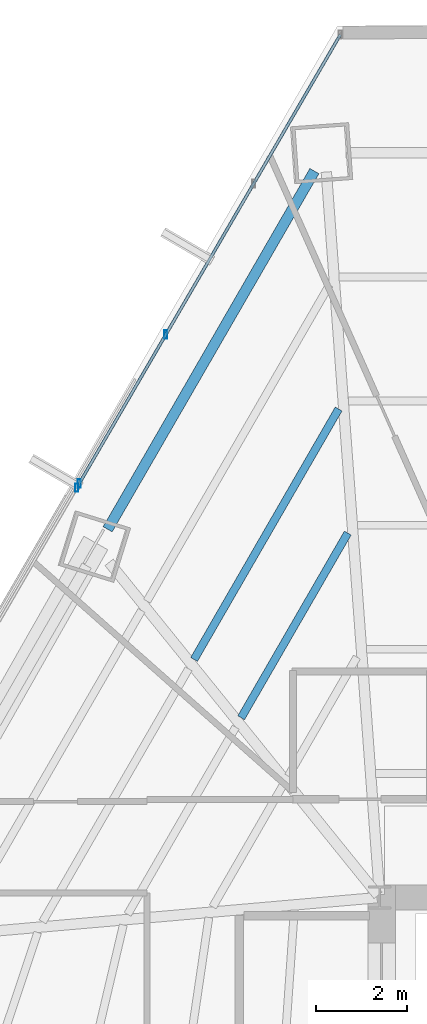
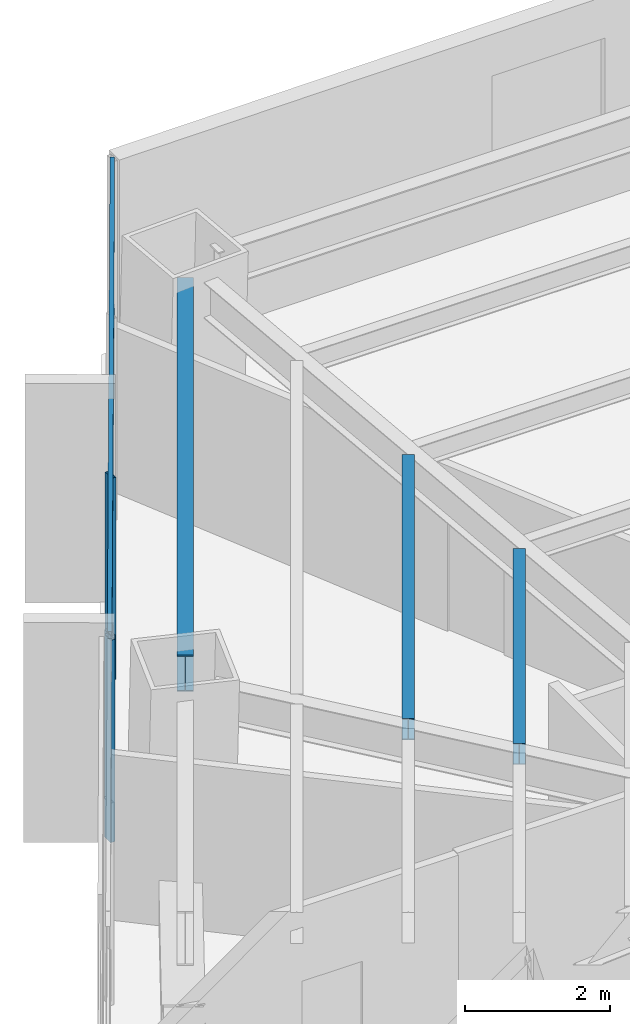
# One storey, part 23 of 34: 5 members, 3 beams, 2 elements without a shape of their own.
"""IFC4 building model written with IfcOpenShell, lengths in metres."""

import ifcopenshell
import ifcopenshell.guid

model = None  # the IFC model being written
_history = None  # IfcOwnerHistory: only IFC2X3 demands one
_inside = {}  # id of a spatial element -> (the spatial element, [elements in it])
_under = {}  # id of a project, library or spatial element -> (it, [spatial elements below it])
_declared = {}  # id of a project -> (the project, [libraries it declares])
_typed = {}  # id of a type object -> (the type object, [elements of that type])
_made_of = {}  # id of a material, layer set ... -> (it, [elements and type objects made of it])


def new_model(schema):
    """Start an empty IFC model of exactly this schema.

    Asked for "IFC4X3", IfcOpenShell would pick the latest addendum, in which some entities
    have other attributes; the version numbers below select the first issue.
    IFC2X3 requires an IfcOwnerHistory on every rooted entity: one is made here for all.
    """
    global model, _history
    if schema == "IFC4X3":
        model = ifcopenshell.file(schema_version=(4, 3, 0, 0))
    else:
        model = ifcopenshell.file(schema=schema)
    _inside.clear()
    _under.clear()
    _declared.clear()
    _typed.clear()
    _made_of.clear()
    _history = None
    if model.schema == "IFC2X3":
        org = make("IfcOrganization", Name="unknown")
        user = make(
            "IfcPersonAndOrganization",
            ThePerson=make("IfcPerson", FamilyName="unknown"),
            TheOrganization=org,
        )
        app = make(
            "IfcApplication",
            ApplicationDeveloper=org,
            Version="unknown",
            ApplicationFullName="unknown",
            ApplicationIdentifier="unknown",
        )
        _history = make(
            "IfcOwnerHistory",
            OwningUser=user,
            OwningApplication=app,
            ChangeAction="ADDED",
            CreationDate=0,
        )
    return model


def make(cls, **values):
    """One entity of the class cls with the attributes given. An attribute that is None is left unset."""
    return model.create_entity(
        cls, **{name: value for name, value in values.items() if value is not None}
    )


def rooted(cls, **values):
    """An entity with a GlobalId (a new one), such as an element, a storey or a relation."""
    return make(cls, GlobalId=ifcopenshell.guid.new(), OwnerHistory=_history, **values)


def si_unit(unit_type, name, prefix=None):
    """IfcSIUnit, for example si_unit("LENGTHUNIT", "METRE", prefix="MILLI")."""
    return make("IfcSIUnit", UnitType=unit_type, Prefix=prefix, Name=name)


def assignment(units):
    """IfcUnitAssignment: the units of a project."""
    return None if units is None else make("IfcUnitAssignment", Units=units)


def point(xyz):
    """IfcCartesianPoint."""
    return None if xyz is None else make("IfcCartesianPoint", Coordinates=xyz)


def direction(xyz):
    """IfcDirection."""
    return None if xyz is None else make("IfcDirection", DirectionRatios=xyz)


def frame(location, z_axis=None, x_axis=None):
    """IfcAxis2Placement3D, a coordinate frame: its origin and axes. An axis left out is left unset."""
    return make(
        "IfcAxis2Placement3D",
        Location=point(location),
        Axis=direction(z_axis),
        RefDirection=direction(x_axis),
    )


def frame_2d(location, x_axis=None):
    """IfcAxis2Placement2D, a coordinate frame in the plane: its origin and x axis."""
    return make(
        "IfcAxis2Placement2D", Location=point(location), RefDirection=direction(x_axis)
    )


def origin():
    """The frame at (0, 0, 0) with its axes left unset."""
    return frame((0.0, 0.0, 0.0))


def origin_2d():
    """The frame at (0, 0) in the plane with its x axis left unset."""
    return frame_2d((0.0, 0.0))


def place(relative_to, where):
    """IfcLocalPlacement: puts the frame where relative to a parent placement (None: the world)."""
    return make(
        "IfcLocalPlacement", PlacementRelTo=relative_to, RelativePlacement=where
    )


def context(
    kind, dimensions, precision=None, world=None, true_north=None, identifier=None
):
    """IfcGeometricRepresentationContext, for example the 3D "Model" context."""
    return make(
        "IfcGeometricRepresentationContext",
        ContextIdentifier=identifier,
        ContextType=kind,
        CoordinateSpaceDimension=dimensions,
        Precision=precision,
        WorldCoordinateSystem=world,
        TrueNorth=true_north,
    )


def subcontext(parent, identifier, kind, view, scale=None):
    """IfcGeometricRepresentationSubContext, for example "Body" below "Model"."""
    return make(
        "IfcGeometricRepresentationSubContext",
        ContextIdentifier=identifier,
        ContextType=kind,
        ParentContext=parent,
        TargetScale=scale,
        TargetView=view,
    )


def project(units=None, contexts=None):
    """IfcProject with its units and contexts."""
    return rooted(
        "IfcProject",
        Name="project",
        RepresentationContexts=contexts,
        UnitsInContext=assignment(units),
    )


def spatial(cls, under=None, at=None, **own):
    """A site, building, storey or space (cls), placed at a placement, below another one or the project."""
    s = rooted(cls, ObjectPlacement=at, **own)
    if under is not None:
        _under.setdefault(under.id(), (under, []))[1].append(s)
    return s


def profile(cls, at=None, kind="AREA", **sizes):
    """A parametric profile (cls). Its sizes go by their IFC names, for example OverallWidth=200.0."""
    return make(cls, ProfileType=kind, Position=at, **sizes)


def hollow_rectangle(**sizes):
    """IfcRectangleHollowProfileDef."""
    return profile("IfcRectangleHollowProfileDef", **sizes)


def i_section(**sizes):
    """IfcIShapeProfileDef."""
    return profile("IfcIShapeProfileDef", **sizes)


def extrude(swept, where, along, depth):
    """IfcExtrudedAreaSolid: the profile swept, set in the frame where, extruded along a direction by depth."""
    return make(
        "IfcExtrudedAreaSolid",
        SweptArea=swept,
        Position=where,
        ExtrudedDirection=direction(along),
        Depth=depth,
    )


def shape(context_of_items, identifier, shape_type, items):
    """IfcShapeRepresentation: the items that make up one representation, for example the "Body"."""
    return make(
        "IfcShapeRepresentation",
        ContextOfItems=context_of_items,
        RepresentationIdentifier=identifier,
        RepresentationType=shape_type,
        Items=items,
    )


def source(mapping_origin, context_of_items, identifier, shape_type, items):
    """IfcRepresentationMap: a shape defined once, which mapped items show again and again."""
    return make(
        "IfcRepresentationMap",
        MappingOrigin=mapping_origin,
        MappedRepresentation=shape(context_of_items, identifier, shape_type, items),
    )


def transform(
    local_origin,
    x_axis=None,
    y_axis=None,
    z_axis=None,
    scale=None,
    scale2=None,
    scale3=None,
    uniform=True,
):
    """IfcCartesianTransformationOperator3D, or its non-uniform kind. x_axis, y_axis, z_axis: its Axis1, 2, 3."""
    if uniform:
        return make(
            "IfcCartesianTransformationOperator3D",
            Axis1=direction(x_axis),
            Axis2=direction(y_axis),
            LocalOrigin=point(local_origin),
            Scale=scale,
            Axis3=direction(z_axis),
        )
    return make(
        "IfcCartesianTransformationOperator3DnonUniform",
        Axis1=direction(x_axis),
        Axis2=direction(y_axis),
        LocalOrigin=point(local_origin),
        Scale=scale,
        Axis3=direction(z_axis),
        Scale2=scale2,
        Scale3=scale3,
    )


def mapped(mapping_source, mapping_target):
    """IfcMappedItem: shows the shape of a source again, moved by a transform."""
    return make(
        "IfcMappedItem", MappingSource=mapping_source, MappingTarget=mapping_target
    )


def material(Name=None, Category=None):
    """IfcMaterial."""
    return make("IfcMaterial", Name=Name, Category=Category)


def material_profile(
    of_material, cross_section, Name=None, Category=None, Priority=None
):
    """IfcMaterialProfile: a cross section and its material."""
    return make(
        "IfcMaterialProfile",
        Name=Name,
        Material=of_material,
        Profile=cross_section,
        Priority=Priority,
        Category=Category,
    )


def profile_set(profiles, Name=None, composite=None):
    """IfcMaterialProfileSet."""
    return make(
        "IfcMaterialProfileSet",
        Name=Name,
        MaterialProfiles=profiles,
        CompositeProfile=composite,
    )


def made_of(thing, what):
    """Note that an element or type object is made of a material, layer set ...; save() writes the relation."""
    if what is not None:
        _made_of.setdefault(what.id(), (what, []))[1].append(thing)
    return thing


def type_object(cls, material=None, **own):
    """A type object (cls), such as IfcWallType, which elements share."""
    return made_of(rooted(cls, **own), material)


def type_shapes(of_type, sources):
    """Give a type object the sources (RepresentationMaps) that its elements show as mapped items."""
    of_type.RepresentationMaps = sources


def element(
    cls,
    number,
    at=None,
    inside=None,
    cuts=None,
    type_object=None,
    material=None,
    context=None,
    identifier="Body",
    shape_type=None,
    held_by="IfcProductDefinitionShape",
    body=None,
    shapes=None,
    **own,
):
    """One element of the class cls, such as IfcWall. Its Tag is "e" and its number.

    at: its placement. inside: the storey or other place that contains it. cuts: it is an
    opening in that element (IfcRelVoidsElement). A single representation is given by context,
    identifier, shape_type and body (its items); several are given by shapes. held_by: the class
    of the entity that holds the representations. save() writes the other relations.
    """
    e = rooted(cls, Tag="e%d" % number, ObjectPlacement=at, **own)
    if body is not None:
        shapes = [shape(context, identifier, shape_type, body)]
    if shapes is not None:
        e.Representation = make(held_by, Representations=shapes)
    if inside is not None:
        _inside.setdefault(inside.id(), (inside, []))[1].append(e)
    if cuts is not None:
        rooted(
            "IfcRelVoidsElement", RelatingBuildingElement=cuts, RelatedOpeningElement=e
        )
    if type_object is not None:
        _typed.setdefault(type_object.id(), (type_object, []))[1].append(e)
    return made_of(e, material)


def aggregate(whole, parts):
    """IfcRelAggregates: a whole, such as a stair, and the parts it consists of."""
    return rooted("IfcRelAggregates", RelatingObject=whole, RelatedObjects=parts)


def save(model, path):
    """Write the relations noted so far, then the file.

    IfcRelAggregates (storeys below a building ...), IfcRelContainedInSpatialStructure (elements
    in a storey), IfcRelDefinesByType, IfcRelAssociatesMaterial and IfcRelDeclares: one each for
    every whole, place, type object, material and project.
    """
    for whole, parts in _under.values():
        aggregate(whole, parts)
    for where, things in _inside.values():
        rooted(
            "IfcRelContainedInSpatialStructure",
            RelatedElements=things,
            RelatingStructure=where,
        )
    for kind, things in _typed.values():
        rooted("IfcRelDefinesByType", RelatedObjects=things, RelatingType=kind)
    for what, things in _made_of.values():
        rooted("IfcRelAssociatesMaterial", RelatedObjects=things, RelatingMaterial=what)
    for by, libraries in _declared.values():
        rooted("IfcRelDeclares", RelatingContext=by, RelatedDefinitions=libraries)
    model.write(path)


model = new_model("IFC4")

# Units and contexts
model_context = context("Model", 3, precision=1e-05, world=origin(), true_north=direction((0.0, 1.0)))
body_context = subcontext(model_context, "Body", "Model", "MODEL_VIEW")
ifc_project = project(units=[si_unit("LENGTHUNIT", "METRE"), si_unit("AREAUNIT", "SQUARE_METRE"), si_unit("VOLUMEUNIT", "CUBIC_METRE"), si_unit("PLANEANGLEUNIT", "RADIAN"), si_unit("MASSUNIT", "GRAM", prefix="KILO")], contexts=[model_context])

# Site, building, storey
site_placement = place(None, origin())
site = spatial("IfcSite", under=ifc_project, at=site_placement, CompositionType="ELEMENT")
building_placement = place(site_placement, origin())
building = spatial("IfcBuilding", under=site, at=building_placement, Name="Caelisora Broadcast Tower", CompositionType="ELEMENT")
storey_placement = place(building_placement, frame((0.0, 0.0, 49.5)))
storey = spatial("IfcBuildingStorey", under=building, at=storey_placement, Name="L12", CompositionType="ELEMENT", Elevation=49.5)

# Beams
ifc_material_1 = material(Name="Steel Grade 350 (AS/NZS 3679.1)", Category="steel")
ifc_material_profile_1 = material_profile(ifc_material_1, i_section(OverallWidth=0.22900390625, OverallDepth=0.611572265625, WebThickness=0.011962890625, FlangeThickness=0.01953125, at=origin_2d()), Name="Steel Grade 350 (AS/NZS 3679.1)")
ifc_profile_set_1 = profile_set([ifc_material_profile_1], Name="Steel Grade 350 (AS/NZS 3679.1)")
beam_type_1 = type_object("IfcBeamType", Name="PG03", PredefinedType="BEAM", material=ifc_profile_set_1)
shared_shape_1 = source(origin(), body_context, "Body", "SweptSolid", [
    extrude(i_section(OverallWidth=0.22900390625, OverallDepth=0.611572265625, WebThickness=0.011962890625, FlangeThickness=0.01953125, at=origin_2d()), origin(), (0.0, 0.0, 1.0), 9.064453125),
])
type_shapes(beam_type_1, [shared_shape_1])
beam_1_placement = place(storey_placement, frame((29.06884765625, 45.918701171875, 3.09423828125), z_axis=(-0.499997564742, -0.866026809777, 0.0), x_axis=(0.866026809777, -0.499997564742, 0.0)))
element("IfcBeam", 1, at=beam_1_placement, inside=storey, type_object=beam_type_1, Name="L12 beam PG03", PredefinedType="BEAM", context=body_context, shape_type="MappedRepresentation", body=[
    mapped(shared_shape_1, transform((0.0, 0.0, 0.0), scale=1.0)),
])
ifc_material_profile_2 = material_profile(ifc_material_1, i_section(OverallWidth=0.172119140625, OverallDepth=0.358642578125, WebThickness=0.008056640625, FlangeThickness=0.012939453125, at=origin_2d()), Name="Steel Grade 350 (AS/NZS 3679.1)")
ifc_profile_set_2 = profile_set([ifc_material_profile_2], Name="Steel Grade 350 (AS/NZS 3679.1)")
beam_type_2 = type_object("IfcBeamType", Name="SB02", PredefinedType="JOIST", material=ifc_profile_set_2)
shared_shape_2 = source(origin(), body_context, "Body", "SweptSolid", [
    extrude(i_section(OverallWidth=0.172119140625, OverallDepth=0.358642578125, WebThickness=0.008056640625, FlangeThickness=0.012939453125, at=origin_2d()), origin(), (0.0, 0.0, 1.0), 4.67333984375),
])
beam_2_placement = place(storey_placement, frame((29.799560546875, 37.985595703125, 3.220703125), z_axis=(-0.50001036695, -0.86601941834, 0.0), x_axis=(0.86601941834, -0.50001036695, 0.0)))
element("IfcBeam", 2, at=beam_2_placement, inside=storey, type_object=beam_type_2, Name="L12 beam SB02", PredefinedType="JOIST", context=body_context, shape_type="MappedRepresentation", body=[
    mapped(shared_shape_2, transform((0.0, 0.0, 0.0), scale=1.0)),
])
shared_shape_3 = source(origin(), body_context, "Body", "SweptSolid", [
    extrude(i_section(OverallWidth=0.172119140625, OverallDepth=0.358642578125, WebThickness=0.008056640625, FlangeThickness=0.012939453125, at=origin_2d()), origin(), (0.0, 0.0, 1.0), 6.33740234375),
])
type_shapes(beam_type_2, [shared_shape_2, shared_shape_3])
beam_3_placement = place(storey_placement, frame((29.599365234375, 40.705078125, 3.220703125), z_axis=(-0.500004794763, -0.866022635509, 0.0), x_axis=(0.866022635509, -0.500004794763, 0.0)))
element("IfcBeam", 3, at=beam_3_placement, inside=storey, type_object=beam_type_2, Name="L12 beam SB02", PredefinedType="JOIST", context=body_context, shape_type="MappedRepresentation", body=[
    mapped(shared_shape_3, transform((0.0, 0.0, 0.0), scale=1.0)),
])

# Curtain wall, member
ifc_material_2 = material(Name="Unitised Aluminium Insulated Shadow-Box Spandrel Curtain Wall", Category="aluminium")
curtain_wall_type_1 = type_object("IfcCurtainWallType", Name="CW-SP1", PredefinedType="NOTDEFINED", material=ifc_material_2)
curtain_wall_1_placement = place(storey_placement, origin())
curtain_wall_1 = element("IfcCurtainWall", 4, at=curtain_wall_1_placement, inside=storey, type_object=curtain_wall_type_1, Name="L12 curtain wall CW-SP1", PredefinedType="NOTDEFINED")
ifc_material_3 = material(Name="Aluminium 6063-T6 Anodised Terracotta Bronze", Category="aluminium")
ifc_material_profile_3 = material_profile(ifc_material_3, hollow_rectangle(XDim=0.06494140625, YDim=0.179931640625, WallThickness=0.00341796875, at=origin_2d()), Name="Aluminium 6063-T6 Anodised Terracotta Bronze")
ifc_profile_set_3 = profile_set([ifc_material_profile_3], Name="Aluminium 6063-T6 Anodised Terracotta Bronze")
member_type_1 = type_object("IfcMemberType", Name="CWM-02", PredefinedType="MULLION", material=ifc_profile_set_3)
shared_shape_4 = source(origin(), body_context, "Body", "SweptSolid", [
    extrude(hollow_rectangle(XDim=0.06494140625, YDim=0.179931640625, WallThickness=0.00341796875, at=origin_2d()), origin(), (0.0, 0.0, 1.0), 3.39990234375),
])
type_shapes(member_type_1, [shared_shape_4])
member_1_placement = place(storey_placement, frame((23.8583984375, 38.976318359375, 0.0), z_axis=(0.0, 0.0, 1.0), x_axis=(1.0, 0.0, 0.0)))
member_1 = element("IfcMember", 5, at=member_1_placement, type_object=member_type_1, Name="L12-CW-B10 mullion #3", PredefinedType="MULLION", context=body_context, shape_type="MappedRepresentation", body=[
    mapped(shared_shape_4, transform((0.0, 0.0, 0.0), scale=1.0)),
])
aggregate(curtain_wall_1, [member_1])

# Curtain wall, members
ifc_material_4 = material(Name="Unitised Aluminium and Low-E Glass Curtain Wall", Category="glass")
curtain_wall_type_2 = type_object("IfcCurtainWallType", Name="CW-Z1", PredefinedType="NOTDEFINED", material=ifc_material_4)
curtain_wall_2_placement = place(storey_placement, origin())
curtain_wall_2 = element("IfcCurtainWall", 6, at=curtain_wall_2_placement, inside=storey, type_object=curtain_wall_type_2, Name="L12 curtain wall CW-Z1", PredefinedType="NOTDEFINED")
member_2_placement = place(storey_placement, frame((23.913818359375, 39.0712890625, 0.0), z_axis=(0.0, 0.0, 1.0), x_axis=(1.0, 0.0, 0.0)))
member_2 = element("IfcMember", 7, at=member_2_placement, type_object=member_type_1, Name="L12-CW-B11 mullion #0", PredefinedType="MULLION", context=body_context, shape_type="MappedRepresentation", body=[
    mapped(shared_shape_4, transform((0.0, 0.0, 0.0), scale=1.0)),
])
member_3_placement = place(storey_placement, frame((25.812744140625, 42.33544921875, 0.0), z_axis=(0.0, 0.0, 1.0), x_axis=(1.0, 0.0, 0.0)))
member_3 = element("IfcMember", 8, at=member_3_placement, type_object=member_type_1, Name="L12-CW-B11 mullion #1", PredefinedType="MULLION", context=body_context, shape_type="MappedRepresentation", body=[
    mapped(shared_shape_4, transform((0.0, 0.0, 0.0), scale=1.0)),
])
ifc_material_profile_4 = material_profile(ifc_material_3, hollow_rectangle(XDim=0.06494140625, YDim=0.179931640625, WallThickness=0.00341796875, at=origin_2d()), Name="Aluminium 6063-T6 Anodised Terracotta Bronze")
ifc_profile_set_4 = profile_set([ifc_material_profile_4], Name="Aluminium 6063-T6 Anodised Terracotta Bronze")
member_type_2 = type_object("IfcMemberType", Name="CWT-01", PredefinedType="USERDEFINED", material=ifc_profile_set_4)
shared_shape_5 = source(origin(), body_context, "Body", "SweptSolid", [
    extrude(hollow_rectangle(XDim=0.06494140625, YDim=0.179931640625, WallThickness=0.00341796875, at=origin_2d()), origin(), (0.0, 0.0, 1.0), 11.37890625),
])
type_shapes(member_type_2, [shared_shape_5])
member_4_placement = place(storey_placement, frame((23.913818359375, 39.0712890625, 0.85009765625), z_axis=(0.502875508677, 0.864358850694, 0.0), x_axis=(-0.864358850694, 0.502875508677, 0.0)))
member_4 = element("IfcMember", 9, at=member_4_placement, type_object=member_type_2, Name="L12-CW-B11 transom #1", ObjectType="TRANSOM", PredefinedType="USERDEFINED", context=body_context, shape_type="MappedRepresentation", body=[
    mapped(shared_shape_5, transform((0.0, 0.0, 0.0), scale=1.0)),
])
member_5_placement = place(storey_placement, frame((23.913818359375, 39.0712890625, 3.320068359375), z_axis=(0.502875508677, 0.864358850694, 0.0), x_axis=(-0.864358850694, 0.502875508677, 0.0)))
member_5 = element("IfcMember", 10, at=member_5_placement, type_object=member_type_2, Name="L12-CW-B11 transom #2", ObjectType="TRANSOM", PredefinedType="USERDEFINED", context=body_context, shape_type="MappedRepresentation", body=[
    mapped(shared_shape_5, transform((0.0, 0.0, 0.0), scale=1.0)),
])
aggregate(curtain_wall_2, [member_2, member_3, member_4, member_5])

save(model, "model.ifc")
